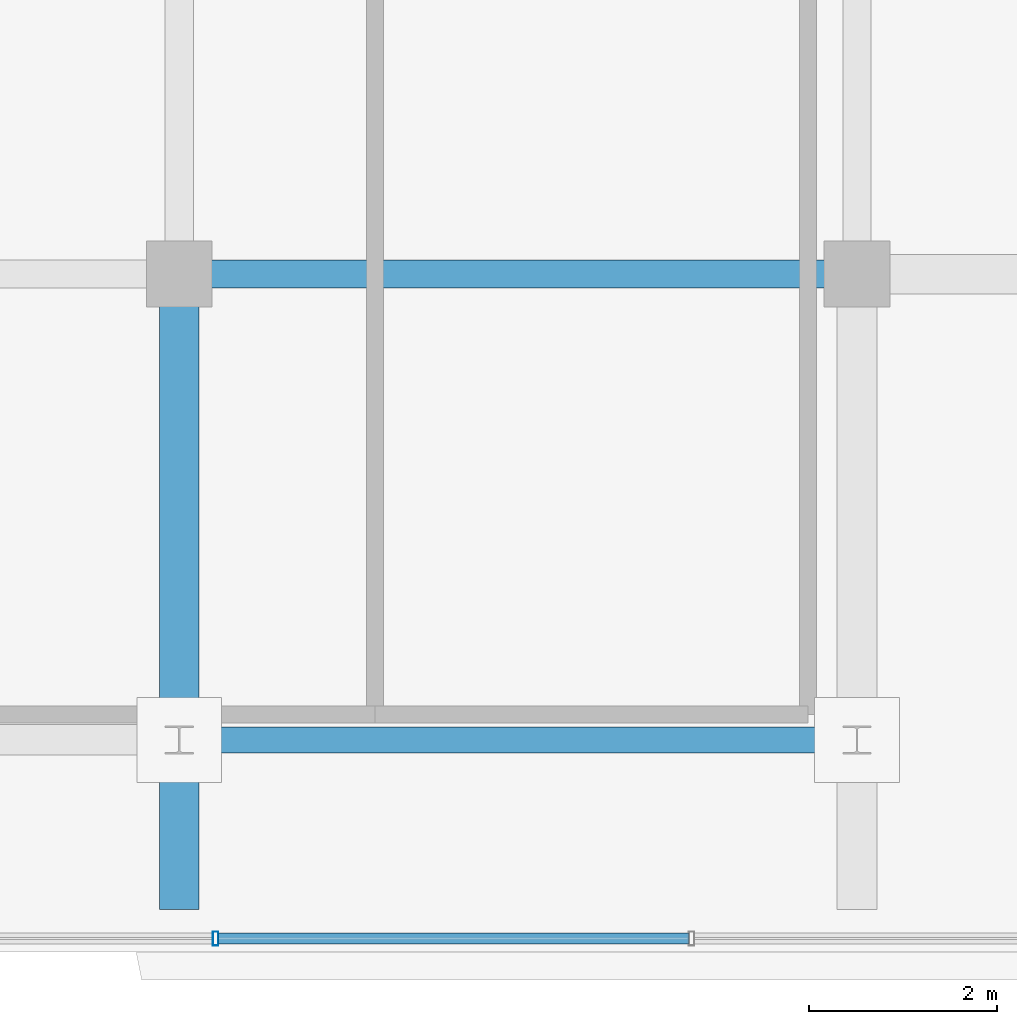
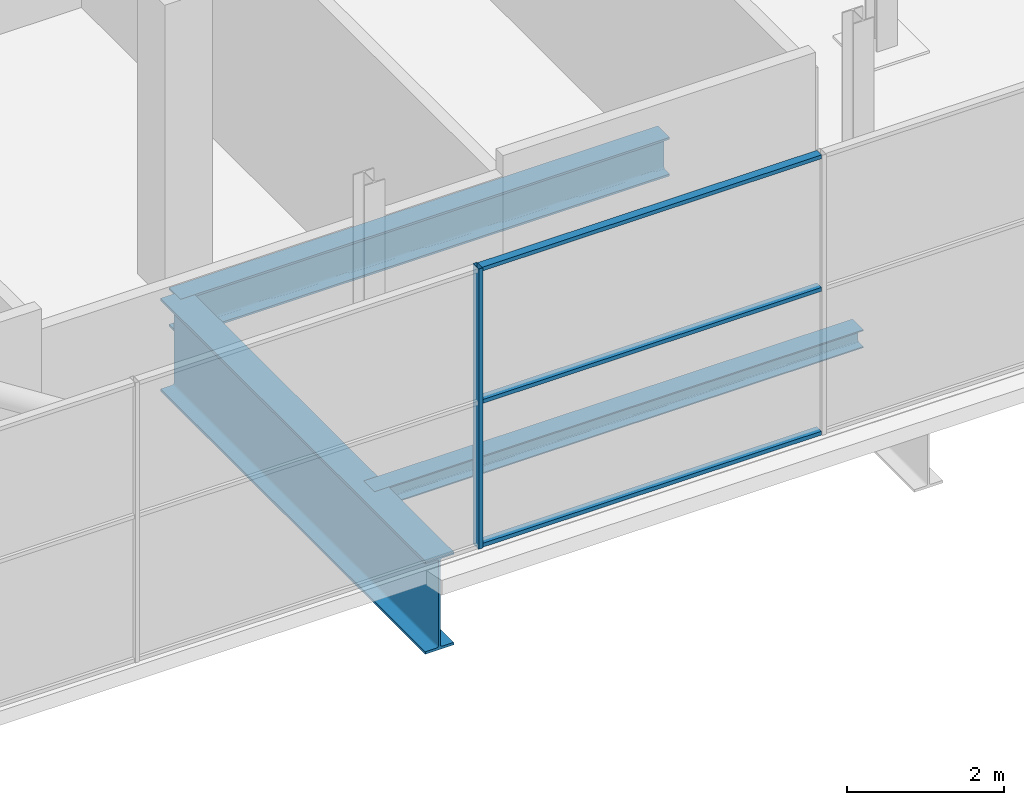
# One storey, part 9 of 28: 4 members, 3 beams, 1 element without a shape of its own.
"""IFC4 building model written with IfcOpenShell, lengths in metres."""

from ifc_helpers import new_model, si_unit, direction, frame, origin, origin_2d, place, context, subcontext, project, spatial, hollow_rectangle, i_section, extrude, source, transform, mapped, material, layer, layer_set, material_profile, profile_set, type_object, element, aggregate, save


model = new_model("IFC4")

# Units and contexts
model_context = context("Model", 3, precision=1e-05, world=origin(), true_north=direction((0.0, 1.0)))
body_context = subcontext(model_context, "Body", "Model", "MODEL_VIEW")
ifc_project = project(units=[si_unit("LENGTHUNIT", "METRE"), si_unit("AREAUNIT", "SQUARE_METRE"), si_unit("VOLUMEUNIT", "CUBIC_METRE"), si_unit("PLANEANGLEUNIT", "RADIAN"), si_unit("MASSUNIT", "GRAM", prefix="KILO")], contexts=[model_context])

# Site, building, storey
site_placement = place(None, origin())
site = spatial("IfcSite", under=ifc_project, at=site_placement, CompositionType="ELEMENT")
building_placement = place(site_placement, origin())
building = spatial("IfcBuilding", under=site, at=building_placement, Name="Zarnakvel Exchange Tower", CompositionType="ELEMENT")
storey_placement = place(building_placement, frame((0.0, 0.0, 271.60009765625)))
storey = spatial("IfcBuildingStorey", under=building, at=storey_placement, Name="Crown L77", CompositionType="ELEMENT", Elevation=271.60009765625)

# Beams
ifc_material_1 = material(Name="Steel S355", Category="steel")
ifc_material_profile_1 = material_profile(ifc_material_1, i_section(OverallWidth=0.300048828125, OverallDepth=0.60009765625, WebThickness=0.015380859375, FlangeThickness=0.030029296875, FilletRadius=0.027099609375, at=origin_2d()))
ifc_profile_set_1 = profile_set([ifc_material_profile_1], Name="Steel S355")
beam_type_1 = type_object("IfcBeamType", Name="G-04", PredefinedType="BEAM", material=ifc_profile_set_1)
beam_1_placement = place(storey_placement, frame((7.199951171875, -9.60009765625, -0.52001953125), z_axis=(1.0, 0.0, 0.0), x_axis=(0.0, 1.0, 0.0)))
element("IfcBeam", 1, at=beam_1_placement, inside=storey, type_object=beam_type_1, Name="Crown L77 Tower E-W Frame Beam", PredefinedType="BEAM", context=body_context, shape_type="SweptSolid", body=[
    extrude(i_section(OverallWidth=0.300048828125, OverallDepth=0.60009765625, WebThickness=0.015380859375, FlangeThickness=0.030029296875, FilletRadius=0.027099609375, at=origin_2d()), origin(), (0.0, 0.0, 1.0), 7.199951171875),
])
ifc_material_profile_2 = material_profile(ifc_material_1, i_section(OverallWidth=0.280029296875, OverallDepth=0.280029296875, WebThickness=0.010498046875, FlangeThickness=0.01806640625, FilletRadius=0.02392578125, at=origin_2d()))
ifc_profile_set_2 = profile_set([ifc_material_profile_2], Name="Steel S355")
beam_type_2 = type_object("IfcBeamType", Name="SP-04", PredefinedType="SPANDREL", material=ifc_profile_set_2)
beam_2_placement = place(storey_placement, frame((7.199951171875, -14.550048828125, -0.360107421875), z_axis=(1.0, 0.0, 0.0), x_axis=(0.0, 1.0, 0.0)))
element("IfcBeam", 2, at=beam_2_placement, inside=storey, type_object=beam_type_2, Name="Crown L77 Tower E-W Frame Beam", PredefinedType="SPANDREL", context=body_context, shape_type="SweptSolid", body=[
    extrude(i_section(OverallWidth=0.280029296875, OverallDepth=0.280029296875, WebThickness=0.010498046875, FlangeThickness=0.01806640625, FilletRadius=0.02392578125, at=origin_2d()), origin(), (0.0, 0.0, 1.0), 7.199951171875),
])
ifc_material_2 = material(Name="Steel S460", Category="steel")
ifc_material_profile_3 = material_profile(ifc_material_2, i_section(OverallWidth=0.419921875, OverallDepth=1.449951171875, WebThickness=0.02392578125, FlangeThickness=0.0400390625, FilletRadius=0.030029296875, at=origin_2d()))
ifc_profile_set_3 = profile_set([ifc_material_profile_3], Name="Steel S460")
beam_type_3 = type_object("IfcBeamType", Name="TG-01", PredefinedType="BEAM", material=ifc_profile_set_3)
beam_3_placement = place(storey_placement, frame((7.199951171875, -16.35009765625, -0.945068359375), z_axis=(0.0, 1.0, 0.0), x_axis=(-1.0, 0.0, 0.0)))
element("IfcBeam", 3, at=beam_3_placement, inside=storey, type_object=beam_type_3, Name="Crown L77 Setback N-S Transfer Girder CS-8", PredefinedType="BEAM", context=body_context, shape_type="SweptSolid", body=[
    extrude(i_section(OverallWidth=0.419921875, OverallDepth=1.449951171875, WebThickness=0.02392578125, FlangeThickness=0.0400390625, FilletRadius=0.030029296875, at=origin_2d()), origin(), (0.0, 0.0, 1.0), 6.75),
])

# Curtain wall, members
ifc_material_3 = material(Name="Architectural Bronze Anodised Aluminium", Category="aluminium")
ifc_layer = layer(ifc_material_3, 0.14990234375)
ifc_layer_set = layer_set([ifc_layer], Name="Architectural Bronze Anodised Aluminium")
curtain_wall_type = type_object("IfcCurtainWallType", Name="CW-07", PredefinedType="NOTDEFINED", material=ifc_layer_set)
curtain_wall_placement = place(storey_placement, origin())
curtain_wall = element("IfcCurtainWall", 4, at=curtain_wall_placement, inside=storey, type_object=curtain_wall_type, Name="Crown L77 Curtain Wall CW-Crown L77-S (CW-07)", PredefinedType="NOTDEFINED")
ifc_material_profile_4 = material_profile(ifc_material_3, hollow_rectangle(XDim=0.14990234375, YDim=0.06005859375, WallThickness=0.00390625, at=origin_2d()))
ifc_profile_set_4 = profile_set([ifc_material_profile_4], Name="Architectural Bronze Anodised Aluminium")
member_type_1 = type_object("IfcMemberType", Name="CWM-07", PredefinedType="MULLION", material=ifc_profile_set_4)
shared_shape_1 = source(origin(), body_context, "Body", "SweptSolid", [
    extrude(hollow_rectangle(XDim=0.14990234375, YDim=0.06005859375, WallThickness=0.00390625, at=origin_2d()), origin(), (0.0, 0.0, 1.0), 4.35986328125),
])
member_1_placement = place(storey_placement, frame((7.585693359375, -16.659912109375, 0.0), z_axis=(0.0, 0.0, 1.0), x_axis=(0.0, 1.0, 0.0)))
member_1 = element("IfcMember", 5, at=member_1_placement, type_object=member_type_1, Name="CW-07 mullion 6", PredefinedType="MULLION", context=body_context, shape_type="MappedRepresentation", body=[
    mapped(shared_shape_1, transform((0.0, 0.0, 0.0), x_axis=(1.0, 0.0, 0.0), y_axis=(0.0, 1.0, 0.0), z_axis=(0.0, 0.0, 1.0), scale=1.0)),
])
ifc_material_profile_5 = material_profile(ifc_material_3, hollow_rectangle(XDim=0.1201171875, YDim=0.06005859375, WallThickness=0.00390625, at=origin_2d()))
ifc_profile_set_5 = profile_set([ifc_material_profile_5], Name="Architectural Bronze Anodised Aluminium")
member_type_2 = type_object("IfcMemberType", Name="CWT-07", PredefinedType="USERDEFINED", material=ifc_profile_set_5)
shared_shape_2 = source(origin(), body_context, "Body", "SweptSolid", [
    extrude(hollow_rectangle(XDim=0.1201171875, YDim=0.06005859375, WallThickness=0.00390625, at=origin_2d()), origin(), (0.0, 0.0, 1.0), 4.9970703125),
])
member_2_placement = place(storey_placement, frame((7.61572265625, -16.659912109375, 0.02978515625), z_axis=(1.0, 0.0, 0.0), x_axis=(0.0, 1.0, 0.0)))
member_2 = element("IfcMember", 6, at=member_2_placement, type_object=member_type_2, Name="CW-07 transom 6.1", ObjectType="TRANSOM", PredefinedType="USERDEFINED", context=body_context, shape_type="MappedRepresentation", body=[
    mapped(shared_shape_2, transform((0.0, 0.0, 0.0), x_axis=(1.0, 0.0, 0.0), y_axis=(0.0, 1.0, 0.0), z_axis=(0.0, 0.0, 1.0), scale=1.0)),
])
member_3_placement = place(storey_placement, frame((7.61572265625, -16.659912109375, 2.26708984375), z_axis=(1.0, 0.0, 0.0), x_axis=(0.0, 1.0, 0.0)))
member_3 = element("IfcMember", 7, at=member_3_placement, type_object=member_type_2, Name="CW-07 transom 6.2", ObjectType="TRANSOM", PredefinedType="USERDEFINED", context=body_context, shape_type="MappedRepresentation", body=[
    mapped(shared_shape_2, transform((0.0, 0.0, 0.0), x_axis=(1.0, 0.0, 0.0), y_axis=(0.0, 1.0, 0.0), z_axis=(0.0, 0.0, 1.0), scale=1.0)),
])
member_4_placement = place(storey_placement, frame((7.61572265625, -16.659912109375, 4.329833984375), z_axis=(1.0, 0.0, 0.0), x_axis=(0.0, 1.0, 0.0)))
member_4 = element("IfcMember", 8, at=member_4_placement, type_object=member_type_2, Name="CW-07 transom 6.3", ObjectType="TRANSOM", PredefinedType="USERDEFINED", context=body_context, shape_type="MappedRepresentation", body=[
    mapped(shared_shape_2, transform((0.0, 0.0, 0.0), x_axis=(1.0, 0.0, 0.0), y_axis=(0.0, 1.0, 0.0), z_axis=(0.0, 0.0, 1.0), scale=1.0)),
])
aggregate(curtain_wall, [member_1, member_2, member_3, member_4])

save(model, "model.ifc")
